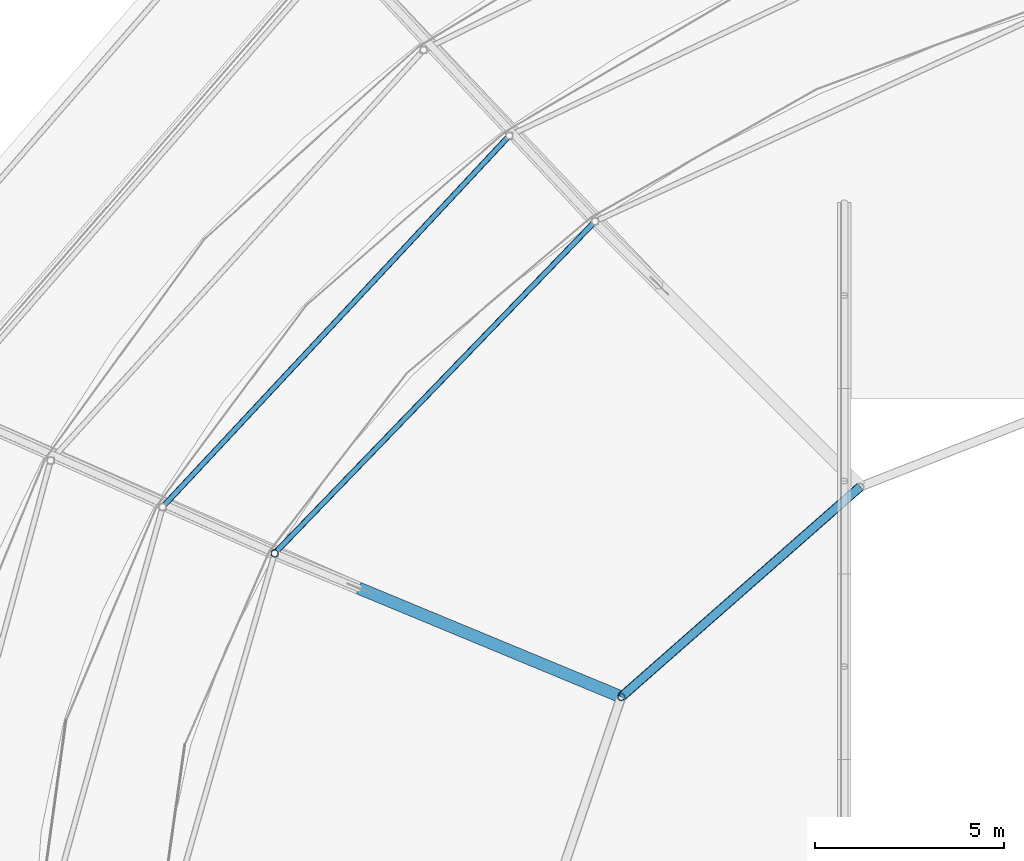
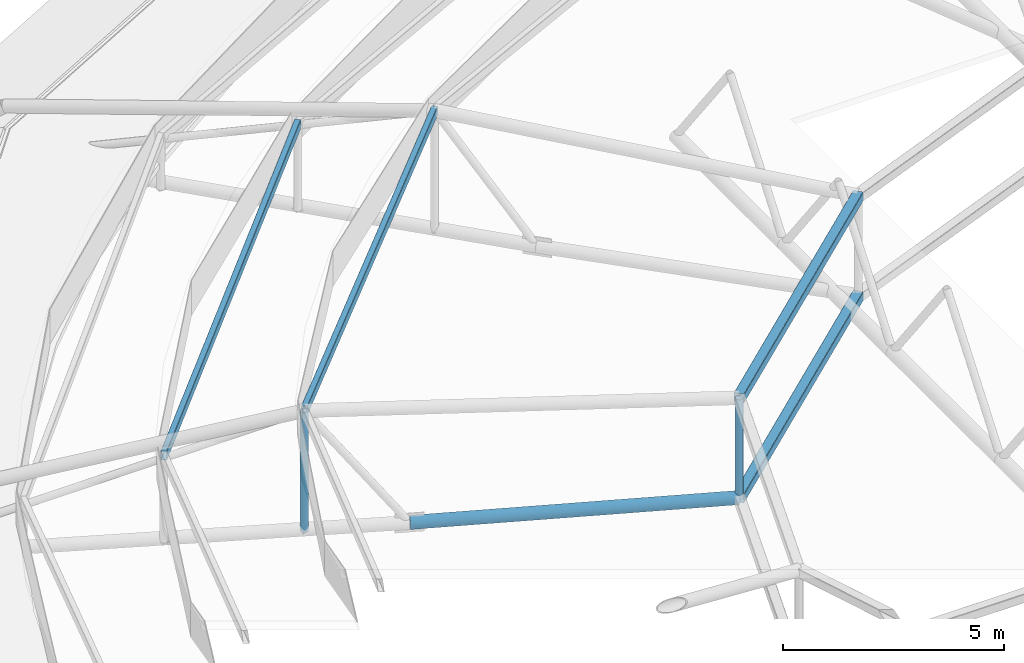
# One storey, part 21 of 134: 5 members, 2 beams.
"""IFC4 building model written with IfcOpenShell, lengths in metres."""

from ifc_helpers import new_model, si_unit, derived_unit, direction, frame, origin, origin_2d, place, context, subcontext, project, spatial, hollow_rectangle, hollow_circle, extrude, material, material_profile, profile_set, type_object, element, save


model = new_model("IFC4")

# Units and contexts
model_context = context("Model", 3, precision=1e-05, world=origin(), true_north=direction((0.0, 1.0)))
body_context = subcontext(model_context, "Body", "Model", "MODEL_VIEW")
ifc_project = project(units=[si_unit("LENGTHUNIT", "METRE"), si_unit("AREAUNIT", "SQUARE_METRE"), si_unit("VOLUMEUNIT", "CUBIC_METRE"), si_unit("PLANEANGLEUNIT", "RADIAN"), si_unit("MASSUNIT", "GRAM", prefix="KILO"), derived_unit("THERMALTRANSMITTANCEUNIT", [(si_unit("MASSUNIT", "GRAM", prefix="KILO"), 1), (si_unit("TIMEUNIT", "SECOND"), -3), (si_unit("THERMODYNAMICTEMPERATUREUNIT", "KELVIN"), -1)])], contexts=[model_context])

# Site, building, storey
site_placement = place(None, origin())
site = spatial("IfcSite", under=ifc_project, at=site_placement, CompositionType="ELEMENT")
building_placement = place(site_placement, origin())
building = spatial("IfcBuilding", under=site, at=building_placement, Name="Kharveza Railside Sports Centre", CompositionType="ELEMENT")
storey_placement = place(building_placement, frame((0.0, 0.0, 12.89990234375)))
storey = spatial("IfcBuildingStorey", under=building, at=storey_placement, Name="L03", CompositionType="ELEMENT", Elevation=12.89990234375)

# Beams
ifc_material = material(Name="Steel S355J2", Category="steel")
ifc_material_profile_1 = material_profile(ifc_material, hollow_rectangle(XDim=0.14990234375, YDim=0.25, WallThickness=0.010009765625, InnerFilletRadius=0.010009765625, OuterFilletRadius=0.02001953125, at=origin_2d()), Name="RHS 150x250x10.0")
ifc_profile_set_1 = profile_set([ifc_material_profile_1], Name="Steel S355J2")
beam_type = type_object("IfcBeamType", Name="BM-SP04", PredefinedType="SPANDREL", material=ifc_profile_set_1)
beam_1_placement = place(storey_placement, frame((24.760009765625, 71.754638671875, 2.30517578125), z_axis=(-0.682448677194, -0.730933514758, 0.0), x_axis=(0.730933514758, -0.682448677194, 0.0)))
element("IfcBeam", 1, at=beam_1_placement, inside=storey, type_object=beam_type, Name="BM-LIDRING-S3-07", PredefinedType="SPANDREL", context=body_context, shape_type="SweptSolid", body=[
    extrude(hollow_rectangle(XDim=0.14990234375, YDim=0.25, WallThickness=0.010009765625, InnerFilletRadius=0.010009765625, OuterFilletRadius=0.02001953125, at=origin_2d()), origin(), (0.0, 0.0, 1.0), 13.404296875),
])
beam_2_placement = place(storey_placement, frame((27.02294921875, 69.491943359375, 3.255126953125), z_axis=(-0.694461723629, -0.719529648044, 0.0), x_axis=(0.719529648044, -0.694461723629, 0.0)))
element("IfcBeam", 2, at=beam_2_placement, inside=storey, type_object=beam_type, Name="BM-LIDRING-S4-07", PredefinedType="SPANDREL", context=body_context, shape_type="SweptSolid", body=[
    extrude(hollow_rectangle(XDim=0.14990234375, YDim=0.25, WallThickness=0.010009765625, InnerFilletRadius=0.010009765625, OuterFilletRadius=0.02001953125, at=origin_2d()), origin(), (0.0, 0.0, 1.0), 12.174072265625),
])

# Members
ifc_material_profile_2 = material_profile(ifc_material, hollow_circle(Radius=0.161865234375, WallThickness=0.01611328125, at=origin_2d()), Name="CHS 323.9x16.0")
ifc_profile_set_2 = profile_set([ifc_material_profile_2], Name="Steel S355J2")
member_type_1 = type_object("IfcMemberType", Name="MB-CH02", PredefinedType="CHORD", material=ifc_profile_set_2)
member_1_placement = place(storey_placement, frame((27.715087890625, 56.94384765625, -0.0498046875), z_axis=(-0.92388194159, 0.382677616283, 0.0), x_axis=(-0.382677616283, -0.92388194159, 0.0)))
element("IfcMember", 3, at=member_1_placement, inside=storey, type_object=member_type_1, Name="MB-OUT-BC1-08", PredefinedType="CHORD", context=body_context, shape_type="SweptSolid", body=[
    extrude(hollow_circle(Radius=0.161865234375, WallThickness=0.01611328125, at=origin_2d()), origin(), (0.0, 0.0, 1.0), 7.5),
])
ifc_material_profile_3 = material_profile(ifc_material, hollow_rectangle(XDim=0.25, YDim=0.25, WallThickness=0.012451171875, InnerFilletRadius=0.012451171875, OuterFilletRadius=0.02490234375, at=origin_2d()), Name="SHS 250x250x12.5")
ifc_profile_set_3 = profile_set([ifc_material_profile_3], Name="Steel S355J2")
member_type_2 = type_object("IfcMemberType", Name="MB-CH05", PredefinedType="CHORD", material=ifc_profile_set_3)
for number, where, z_axis, x_axis, name in (
    (4, (34.023193359375, 62.491455078125, -0.0498046875), (-0.75092160936, -0.660391351091, 0.0), (0.660391351091, -0.75092160936, 0.0), "MB-INRING-BOT-07"),
    (5, (34.023193359375, 62.491455078125, 2.7001953125), (-0.75092160936, -0.660391351091, 0.0), (0.660391351091, -0.75092160936, 0.0), "MB-INRING-TOP-07"),
):
    element("IfcMember", number, at=place(storey_placement, frame(where, z_axis=z_axis, x_axis=x_axis)), inside=storey, type_object=member_type_2, Name=name, PredefinedType="CHORD", context=body_context, shape_type="SweptSolid", body=[
        extrude(hollow_rectangle(XDim=0.25, YDim=0.25, WallThickness=0.012451171875, InnerFilletRadius=0.012451171875, OuterFilletRadius=0.02490234375, at=origin_2d()), origin(), (0.0, 0.0, 1.0), 8.400390625),
    ])
ifc_material_profile_4 = material_profile(ifc_material, hollow_circle(Radius=0.096923828125, WallThickness=0.010009765625, at=origin_2d()), Name="CHS 193.7x10.0")
ifc_profile_set_4 = profile_set([ifc_material_profile_4], Name="Steel S355J2")
member_type_3 = type_object("IfcMemberType", Name="MB-ST02", PredefinedType="STRUT", material=ifc_profile_set_4)
member_2_placement = place(storey_placement, frame((18.568603515625, 60.732421875, -0.0498046875), z_axis=(0.0, 0.0, 1.0), x_axis=(1.0, 0.0, 0.0)))
element("IfcMember", 6, at=member_2_placement, inside=storey, type_object=member_type_3, Name="MB-LIDPOST-S4-08", PredefinedType="STRUT", context=body_context, shape_type="SweptSolid", body=[
    extrude(hollow_circle(Radius=0.096923828125, WallThickness=0.010009765625, at=origin_2d()), origin(), (0.0, 0.0, 1.0), 3.304931640625),
])
member_3_placement = place(storey_placement, frame((27.715087890625, 56.94384765625, -0.0498046875), z_axis=(0.0, 0.0, 1.0), x_axis=(1.0, 0.0, 0.0)))
element("IfcMember", 7, at=member_3_placement, inside=storey, type_object=member_type_3, Name="MB-OUT-WEB-08-1", PredefinedType="STRUT", context=body_context, shape_type="SweptSolid", body=[
    extrude(hollow_circle(Radius=0.096923828125, WallThickness=0.010009765625, at=origin_2d()), origin(), (0.0, 0.0, 1.0), 2.75),
])

save(model, "model.ifc")
